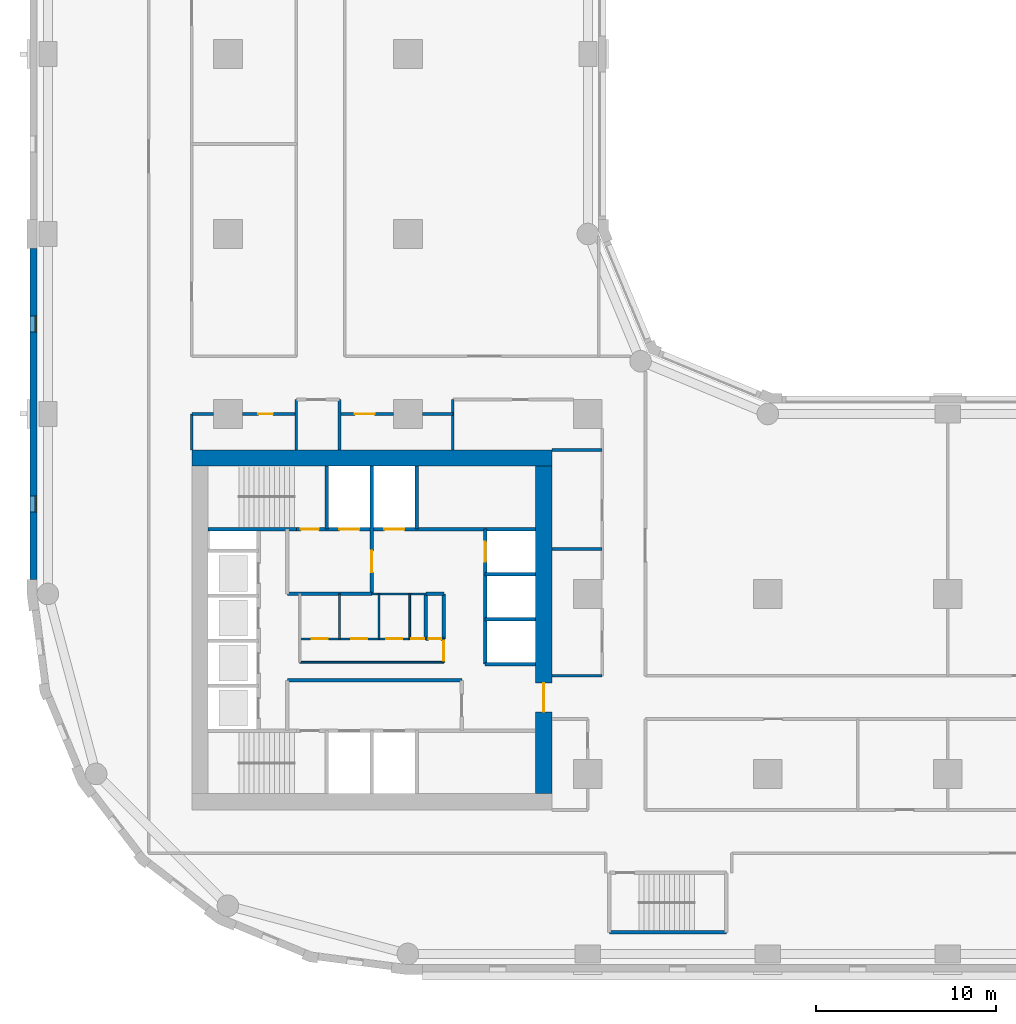
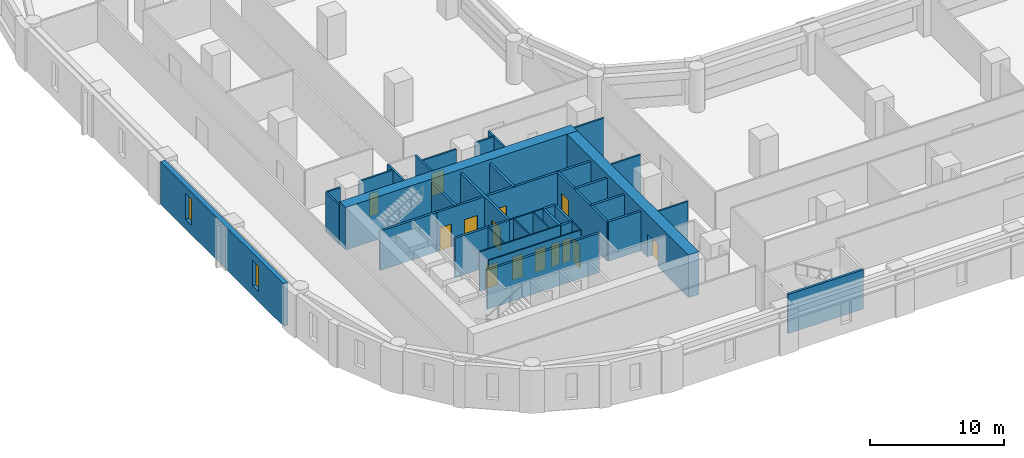
# One storey, part 3 of 10: 37 walls, 14 doors, 2 windows, 16 openings.
"""IFC4 building model written with IfcOpenShell, lengths in metres."""

from ifc_helpers import new_model, si_unit, direction, frame, frame_2d, origin, place, context, subcontext, project, spatial, rectangle, extrude, material, layer, layer_set, type_object, element, fill, save


model = new_model("IFC4")

# Units and contexts
model_context = context("Model", 3, precision=1e-05, world=origin(), true_north=direction((0.0, 1.0)))
body_context = subcontext(model_context, "Body", "Model", "MODEL_VIEW")
ifc_project = project(units=[si_unit("LENGTHUNIT", "METRE"), si_unit("AREAUNIT", "SQUARE_METRE"), si_unit("VOLUMEUNIT", "CUBIC_METRE"), si_unit("PLANEANGLEUNIT", "RADIAN"), si_unit("MASSUNIT", "GRAM", prefix="KILO")], contexts=[model_context])

# Site, building, storey
site_placement = place(None, origin())
site = spatial("IfcSite", under=ifc_project, at=site_placement, CompositionType="ELEMENT")
building_placement = place(site_placement, origin())
building = spatial("IfcBuilding", under=site, at=building_placement, Name="Qaws Garden Tower", CompositionType="ELEMENT")
storey_placement = place(building_placement, frame((0.0, 0.0, 35.39990234375)))
storey = spatial("IfcBuildingStorey", under=building, at=storey_placement, Name="L08", CompositionType="ELEMENT", Elevation=35.39990234375)

# Wall, openings, windows
ifc_material_1 = material(Name="Clay facing brick masonry", Category="masonry")
ifc_layer_1 = layer(ifc_material_1, 0.39990234375)
ifc_layer_set_1 = layer_set([ifc_layer_1], Name="Clay facing brick masonry")
wall_type_1 = type_object("IfcWallType", Name="Brick infill wall 400", PredefinedType="SOLIDWALL", material=ifc_layer_set_1)
wall_1_placement = place(storey_placement, frame((-0.800048828125, 39.199951171875, 0.0), z_axis=(0.0, 0.0, 1.0), x_axis=(0.0, -1.0, 0.0)))
wall_1 = element("IfcWall", 1, at=wall_1_placement, inside=storey, type_object=wall_type_1, Name="E-L08-infill-25", PredefinedType="SOLIDWALL", context=body_context, shape_type="SweptSolid", body=[
    extrude(rectangle(XDim=18.39990234375, YDim=0.39990234375, at=frame_2d((9.199951171875, 0.0))), origin(), (0.0, 0.0, 1.0), 3.900146484375),
])
opening_1_placement = place(wall_1_placement, frame((3.75, 0.0, 0.89990234375)))
opening_1 = element("IfcOpeningElement", 2, at=opening_1_placement, cuts=wall_1, Name="Opening W09", PredefinedType="OPENING", context=body_context, shape_type="SweptSolid", body=[
    extrude(rectangle(XDim=0.89990234375, YDim=2.35009765625, at=frame_2d((0.449951171875, 1.175048828125))), frame((0.0, 0.2099609375, 0.0), z_axis=(0.0, -1.0, 0.0), x_axis=(1.0, 0.0, 0.0)), (0.0, 0.0, 1.0), 0.419921875),
])
opening_2_placement = place(wall_1_placement, frame((13.75, 0.0, 0.89990234375)))
opening_2 = element("IfcOpeningElement", 3, at=opening_2_placement, cuts=wall_1, Name="Opening W09", PredefinedType="OPENING", context=body_context, shape_type="SweptSolid", body=[
    extrude(rectangle(XDim=0.89990234375, YDim=2.35009765625, at=frame_2d((0.449951171875, 1.175048828125))), frame((0.0, 0.2099609375, 0.0), z_axis=(0.0, -1.0, 0.0), x_axis=(1.0, 0.0, 0.0)), (0.0, 0.0, 1.0), 0.419921875),
])
ifc_material_2 = material(Name="Aluminium framed window, clear glazing", Category="aluminium")
window_type = type_object("IfcWindowType", Name="Slit window 900 x 2350", PartitioningType="SINGLE_PANEL", PredefinedType="WINDOW", material=ifc_material_2)
window_1_placement = place(opening_1_placement, origin())
window_1 = element("IfcWindow", 4, at=window_1_placement, inside=storey, type_object=window_type, Name="E-L08-window-25-0", OverallHeight=2.35009765625, OverallWidth=0.89990234375, PartitioningType="SINGLE_PANEL", PredefinedType="WINDOW", context=body_context, shape_type="SweptSolid", body=[
    extrude(rectangle(XDim=0.89990234375, YDim=2.35009765625, at=frame_2d((0.449951171875, 1.175048828125))), frame((0.0, 0.159912109375, 0.0), z_axis=(0.0, -1.0, 0.0), x_axis=(1.0, 0.0, 0.0)), (0.0, 0.0, 1.0), 0.06005859375),
])
fill(opening_1, window_1)
window_2_placement = place(opening_2_placement, origin())
window_2 = element("IfcWindow", 5, at=window_2_placement, inside=storey, type_object=window_type, Name="E-L08-window-26-0", OverallHeight=2.35009765625, OverallWidth=0.89990234375, PartitioningType="SINGLE_PANEL", PredefinedType="WINDOW", context=body_context, shape_type="SweptSolid", body=[
    extrude(rectangle(XDim=0.89990234375, YDim=2.35009765625, at=frame_2d((0.449951171875, 1.175048828125))), frame((0.0, 0.159912109375, 0.0), z_axis=(0.0, -1.0, 0.0), x_axis=(1.0, 0.0, 0.0)), (0.0, 0.0, 1.0), 0.06005859375),
])
fill(opening_2, window_2)

# Wall
ifc_material_3 = material(Name="Plasterboard")
ifc_layer_2 = layer(ifc_material_3, 0.10009765625)
ifc_layer_set_2 = layer_set([ifc_layer_2], Name="Plasterboard")
wall_type_2 = type_object("IfcWallType", Name="Core partition 100", PredefinedType="PARTITIONING", material=ifc_layer_set_2)
wall_2_placement = place(storey_placement, frame((14.0, 16.199951171875, 0.0), z_axis=(0.0, 0.0, 1.0), x_axis=(1.0, 0.0, 0.0)))
element("IfcWall", 6, at=wall_2_placement, inside=storey, type_object=wall_type_2, Name="Core partition", PredefinedType="PARTITIONING", context=body_context, shape_type="SweptSolid", body=[
    extrude(rectangle(XDim=8.0, YDim=0.10009765625, at=frame_2d((4.0, 0.0))), origin(), (0.0, 0.0, 1.0), 3.580078125),
])

# Wall, openings, doors
wall_3_placement = place(storey_placement, frame((14.0, 17.5, 0.0), z_axis=(0.0, 0.0, 1.0), x_axis=(1.0, 0.0, 0.0)))
wall_3 = element("IfcWall", 7, at=wall_3_placement, inside=storey, type_object=wall_type_2, Name="Core partition", PredefinedType="PARTITIONING", context=body_context, shape_type="SweptSolid", body=[
    extrude(rectangle(XDim=7.0, YDim=0.10009765625, at=frame_2d((3.5, 0.0))), origin(), (0.0, 0.0, 1.0), 3.580078125),
])
opening_3_placement = place(wall_3_placement, frame((0.64990234375, 0.0, 0.0)))
opening_3 = element("IfcOpeningElement", 8, at=opening_3_placement, cuts=wall_3, Name="Opening WD18", PredefinedType="OPENING", context=body_context, shape_type="SweptSolid", body=[
    extrude(rectangle(XDim=0.89990234375, YDim=2.10009765625, at=frame_2d((0.449951171875, 1.050048828125))), frame((0.0, 0.06005859375, 0.0), z_axis=(0.0, -1.0, 0.0), x_axis=(1.0, 0.0, 0.0)), (0.0, 0.0, 1.0), 0.1201171875),
])
opening_4_placement = place(wall_3_placement, frame((2.85009765625, 0.0, 0.0)))
opening_4 = element("IfcOpeningElement", 9, at=opening_4_placement, cuts=wall_3, Name="Opening WD19", PredefinedType="OPENING", context=body_context, shape_type="SweptSolid", body=[
    extrude(rectangle(XDim=0.89990234375, YDim=2.10009765625, at=frame_2d((0.449951171875, 1.050048828125))), frame((0.0, 0.06005859375, 0.0), z_axis=(0.0, -1.0, 0.0), x_axis=(1.0, 0.0, 0.0)), (0.0, 0.0, 1.0), 0.1201171875),
])
opening_5_placement = place(wall_3_placement, frame((4.800048828125, 0.0, 0.0)))
opening_5 = element("IfcOpeningElement", 10, at=opening_5_placement, cuts=wall_3, Name="Opening WD20", PredefinedType="OPENING", context=body_context, shape_type="SweptSolid", body=[
    extrude(rectangle(XDim=0.89990234375, YDim=2.10009765625, at=frame_2d((0.449951171875, 1.050048828125))), frame((0.0, 0.06005859375, 0.0), z_axis=(0.0, -1.0, 0.0), x_axis=(1.0, 0.0, 0.0)), (0.0, 0.0, 1.0), 0.1201171875),
])
opening_6_placement = place(wall_3_placement, frame((6.199951171875, 0.0, 0.0)))
opening_6 = element("IfcOpeningElement", 11, at=opening_6_placement, cuts=wall_3, Name="Opening XD21", PredefinedType="OPENING", context=body_context, shape_type="SweptSolid", body=[
    extrude(rectangle(XDim=0.699951171875, YDim=2.10009765625, at=frame_2d((0.35009765625, 1.050048828125))), frame((0.0, 0.06005859375, 0.0), z_axis=(0.0, -1.0, 0.0), x_axis=(1.0, 0.0, 0.0)), (0.0, 0.0, 1.0), 0.1201171875),
])
ifc_material_4 = material(Name="Timber", Category="wood")
door_type_1 = type_object("IfcDoorType", Name="Store door 700x2100", OperationType="SINGLE_SWING_LEFT", PredefinedType="DOOR", material=ifc_material_4)
door_1_placement = place(opening_6_placement, origin())
door_1 = element("IfcDoor", 12, at=door_1_placement, inside=storey, type_object=door_type_1, Name="Cleaner's store door", OperationType="SINGLE_SWING_RIGHT", OverallHeight=2.10009765625, OverallWidth=0.699951171875, PredefinedType="DOOR", context=body_context, shape_type="SweptSolid", body=[
    extrude(rectangle(XDim=0.699951171875, YDim=2.10009765625, at=frame_2d((0.35009765625, 1.050048828125))), frame((0.0, 0.02490234375, 0.0), z_axis=(0.0, -1.0, 0.0), x_axis=(1.0, 0.0, 0.0)), (0.0, 0.0, 1.0), 0.050048828125),
])
fill(opening_6, door_1)
ifc_material_5 = material(Name="Timber", Category="wood")
door_type_2 = type_object("IfcDoorType", Name="WC door 900x2100", OperationType="SINGLE_SWING_LEFT", PredefinedType="DOOR", material=ifc_material_5)
door_2_placement = place(opening_3_placement, origin())
door_2 = element("IfcDoor", 13, at=door_2_placement, inside=storey, type_object=door_type_2, Name="Men's WC door", OperationType="SINGLE_SWING_RIGHT", OverallHeight=2.10009765625, OverallWidth=0.89990234375, PredefinedType="DOOR", context=body_context, shape_type="SweptSolid", body=[
    extrude(rectangle(XDim=0.89990234375, YDim=2.10009765625, at=frame_2d((0.449951171875, 1.050048828125))), frame((0.0, 0.02490234375, 0.0), z_axis=(0.0, -1.0, 0.0), x_axis=(1.0, 0.0, 0.0)), (0.0, 0.0, 1.0), 0.050048828125),
])
fill(opening_3, door_2)
door_3_placement = place(opening_4_placement, origin())
door_3 = element("IfcDoor", 14, at=door_3_placement, inside=storey, type_object=door_type_2, Name="Women's WC door", OperationType="SINGLE_SWING_RIGHT", OverallHeight=2.10009765625, OverallWidth=0.89990234375, PredefinedType="DOOR", context=body_context, shape_type="SweptSolid", body=[
    extrude(rectangle(XDim=0.89990234375, YDim=2.10009765625, at=frame_2d((0.449951171875, 1.050048828125))), frame((0.0, 0.02490234375, 0.0), z_axis=(0.0, -1.0, 0.0), x_axis=(1.0, 0.0, 0.0)), (0.0, 0.0, 1.0), 0.050048828125),
])
fill(opening_4, door_3)
door_4_placement = place(opening_5_placement, origin())
door_4 = element("IfcDoor", 15, at=door_4_placement, inside=storey, type_object=door_type_2, Name="Accessible WC door", OperationType="SINGLE_SWING_RIGHT", OverallHeight=2.10009765625, OverallWidth=0.89990234375, PredefinedType="DOOR", context=body_context, shape_type="SweptSolid", body=[
    extrude(rectangle(XDim=0.89990234375, YDim=2.10009765625, at=frame_2d((0.449951171875, 1.050048828125))), frame((0.0, 0.02490234375, 0.0), z_axis=(0.0, -1.0, 0.0), x_axis=(1.0, 0.0, 0.0)), (0.0, 0.0, 1.0), 0.050048828125),
])
fill(opening_5, door_4)

# Walls
wall_4_placement = place(storey_placement, frame((18.0, 20.0, 0.0), z_axis=(0.0, 0.0, 1.0), x_axis=(1.0, 0.0, 0.0)))
element("IfcWall", 16, at=wall_4_placement, inside=storey, type_object=wall_type_2, Name="Core partition", PredefinedType="PARTITIONING", context=body_context, shape_type="SweptSolid", body=[
    extrude(rectangle(XDim=3.0, YDim=0.10009765625, at=frame_2d((1.5, 0.0))), origin(), (0.0, 0.0, 1.0), 3.580078125),
])
for number, where, z_axis, x_axis, name in (
    (17, (16.199951171875, 17.5, 0.0), (0.0, 0.0, 1.0), (0.0, 1.0, 0.0), "Core partition"),
    (18, (18.39990234375, 17.5, 0.0), (0.0, 0.0, 1.0), (0.0, 1.0, 0.0), "Core partition"),
    (19, (20.10009765625, 17.5, 0.0), (0.0, 0.0, 1.0), (0.0, 1.0, 0.0), "Core partition"),
):
    element("IfcWall", number, at=place(storey_placement, frame(where, z_axis=z_axis, x_axis=x_axis)), inside=storey, type_object=wall_type_2, Name=name, PredefinedType="PARTITIONING", context=body_context, shape_type="SweptSolid", body=[
        extrude(rectangle(XDim=2.5, YDim=0.10009765625, at=frame_2d((1.25, 0.0))), origin(), (0.0, 0.0, 1.0), 3.580078125),
    ])

# Wall, opening, door
wall_5_placement = place(storey_placement, frame((22.0, 16.199951171875, 0.0), z_axis=(0.0, 0.0, 1.0), x_axis=(0.0, 1.0, 0.0)))
wall_5 = element("IfcWall", 20, at=wall_5_placement, inside=storey, type_object=wall_type_2, Name="Core partition", PredefinedType="PARTITIONING", context=body_context, shape_type="SweptSolid", body=[
    extrude(rectangle(XDim=1.300048828125, YDim=0.10009765625, at=frame_2d((0.64990234375, 0.0))), origin(), (0.0, 0.0, 1.0), 3.580078125),
])
opening_7_placement = place(wall_5_placement, frame((0.10009765625, 0.0, 0.0)))
opening_7 = element("IfcOpeningElement", 21, at=opening_7_placement, cuts=wall_5, Name="Opening WL17", PredefinedType="OPENING", context=body_context, shape_type="SweptSolid", body=[
    extrude(rectangle(XDim=1.10009765625, YDim=2.10009765625, at=frame_2d((0.550048828125, 1.050048828125))), frame((0.0, 0.06005859375, 0.0), z_axis=(0.0, -1.0, 0.0), x_axis=(1.0, 0.0, 0.0)), (0.0, 0.0, 1.0), 0.1201171875),
])
ifc_material_6 = material(Name="Timber", Category="wood")
door_type_3 = type_object("IfcDoorType", Name="WC lobby door 1100x2100", OperationType="SINGLE_SWING_LEFT", PredefinedType="DOOR", material=ifc_material_6)
door_5_placement = place(opening_7_placement, origin())
door_5 = element("IfcDoor", 22, at=door_5_placement, inside=storey, type_object=door_type_3, Name="WC lobby door", OperationType="SINGLE_SWING_RIGHT", OverallHeight=2.10009765625, OverallWidth=1.10009765625, PredefinedType="DOOR", context=body_context, shape_type="SweptSolid", body=[
    extrude(rectangle(XDim=1.10009765625, YDim=2.10009765625, at=frame_2d((0.550048828125, 1.050048828125))), frame((0.0, 0.02490234375, 0.0), z_axis=(0.0, -1.0, 0.0), x_axis=(1.0, 0.0, 0.0)), (0.0, 0.0, 1.0), 0.050048828125),
])
fill(opening_7, door_5)

# Walls
ifc_material_7 = material(Name="Concrete C80", Category="concrete")
ifc_layer_3 = layer(ifc_material_7, 0.199951171875)
ifc_layer_set_3 = layer_set([ifc_layer_3], Name="Concrete C80")
wall_type_3 = type_object("IfcWallType", Name="Core shaft wall 200 C80", PredefinedType="SHEAR", material=ifc_layer_set_3)
wall_6_placement = place(storey_placement, frame((31.199951171875, 1.199951171875, 0.0), z_axis=(0.0, 0.0, 1.0), x_axis=(1.0, 0.0, 0.0)))
element("IfcWall", 23, at=wall_6_placement, inside=storey, type_object=wall_type_3, Name="Shaft wall", PredefinedType="SHEAR", context=body_context, shape_type="SweptSolid", body=[
    extrude(rectangle(XDim=6.5, YDim=0.199951171875, at=frame_2d((3.25, 0.0))), origin(), (0.0, 0.0, 1.0), 3.580078125),
])
wall_7_placement = place(storey_placement, frame((13.300048828125, 15.199951171875, 0.0), z_axis=(0.0, 0.0, 1.0), x_axis=(1.0, 0.0, 0.0)))
element("IfcWall", 24, at=wall_7_placement, inside=storey, type_object=wall_type_3, Name="Shaft wall", PredefinedType="SHEAR", context=body_context, shape_type="SweptSolid", body=[
    extrude(rectangle(XDim=9.699951171875, YDim=0.199951171875, at=frame_2d((4.85009765625, 0.0))), origin(), (0.0, 0.0, 1.0), 3.580078125),
])
wall_8_placement = place(storey_placement, frame((24.300048828125, 16.10009765625, 0.0), z_axis=(0.0, 0.0, 1.0), x_axis=(1.0, 0.0, 0.0)))
element("IfcWall", 25, at=wall_8_placement, inside=storey, type_object=wall_type_3, Name="Shaft wall", PredefinedType="SHEAR", context=body_context, shape_type="SweptSolid", body=[
    extrude(rectangle(XDim=2.800048828125, YDim=0.199951171875, at=frame_2d((1.39990234375, 0.0))), origin(), (0.0, 0.0, 1.0), 3.580078125),
])

# Wall, opening, door
wall_9_placement = place(storey_placement, frame((21.0, 17.5, 0.0), z_axis=(0.0, 0.0, 1.0), x_axis=(1.0, 0.0, 0.0)))
wall_9 = element("IfcWall", 26, at=wall_9_placement, inside=storey, type_object=wall_type_3, Name="Shaft wall", PredefinedType="SHEAR", context=body_context, shape_type="SweptSolid", body=[
    extrude(rectangle(XDim=1.0, YDim=0.199951171875, at=frame_2d((0.5, 0.0))), origin(), (0.0, 0.0, 1.0), 3.580078125),
])
opening_8_placement = place(wall_9_placement, frame((0.14990234375, 0.0, 0.0)))
opening_8 = element("IfcOpeningElement", 27, at=opening_8_placement, cuts=wall_9, Name="Opening XD22", PredefinedType="OPENING", context=body_context, shape_type="SweptSolid", body=[
    extrude(rectangle(XDim=0.699951171875, YDim=2.10009765625, at=frame_2d((0.35009765625, 1.050048828125))), frame((0.0, 0.10986328125, 0.0), z_axis=(0.0, -1.0, 0.0), x_axis=(1.0, 0.0, 0.0)), (0.0, 0.0, 1.0), 0.219970703125),
])
door_6_placement = place(opening_8_placement, origin())
door_6 = element("IfcDoor", 28, at=door_6_placement, inside=storey, type_object=door_type_1, Name="Telecom riser door", OperationType="SINGLE_SWING_RIGHT", OverallHeight=2.10009765625, OverallWidth=0.699951171875, PredefinedType="DOOR", context=body_context, shape_type="SweptSolid", body=[
    extrude(rectangle(XDim=0.699951171875, YDim=2.10009765625, at=frame_2d((0.35009765625, 1.050048828125))), frame((0.0, 0.02490234375, 0.0), z_axis=(0.0, -1.0, 0.0), x_axis=(1.0, 0.0, 0.0)), (0.0, 0.0, 1.0), 0.050048828125),
])
fill(opening_8, door_6)

# Walls
wall_10_placement = place(storey_placement, frame((24.300048828125, 18.60009765625, 0.0), z_axis=(0.0, 0.0, 1.0), x_axis=(1.0, 0.0, 0.0)))
element("IfcWall", 29, at=wall_10_placement, inside=storey, type_object=wall_type_3, Name="Shaft wall", PredefinedType="SHEAR", context=body_context, shape_type="SweptSolid", body=[
    extrude(rectangle(XDim=2.800048828125, YDim=0.199951171875, at=frame_2d((1.39990234375, 0.0))), origin(), (0.0, 0.0, 1.0), 3.580078125),
])
wall_11_placement = place(storey_placement, frame((13.300048828125, 20.0, 0.0), z_axis=(0.0, 0.0, 1.0), x_axis=(1.0, 0.0, 0.0)))
element("IfcWall", 30, at=wall_11_placement, inside=storey, type_object=wall_type_3, Name="Shaft wall", PredefinedType="SHEAR", context=body_context, shape_type="SweptSolid", body=[
    extrude(rectangle(XDim=4.699951171875, YDim=0.199951171875, at=frame_2d((2.35009765625, 0.0))), origin(), (0.0, 0.0, 1.0), 3.580078125),
])
wall_12_placement = place(storey_placement, frame((21.0, 20.0, 0.0), z_axis=(0.0, 0.0, 1.0), x_axis=(1.0, 0.0, 0.0)))
element("IfcWall", 31, at=wall_12_placement, inside=storey, type_object=wall_type_3, Name="Shaft wall", PredefinedType="SHEAR", context=body_context, shape_type="SweptSolid", body=[
    extrude(rectangle(XDim=1.0, YDim=0.199951171875, at=frame_2d((0.5, 0.0))), origin(), (0.0, 0.0, 1.0), 3.580078125),
])
wall_13_placement = place(storey_placement, frame((24.300048828125, 21.10009765625, 0.0), z_axis=(0.0, 0.0, 1.0), x_axis=(1.0, 0.0, 0.0)))
element("IfcWall", 32, at=wall_13_placement, inside=storey, type_object=wall_type_3, Name="Shaft wall", PredefinedType="SHEAR", context=body_context, shape_type="SweptSolid", body=[
    extrude(rectangle(XDim=2.800048828125, YDim=0.199951171875, at=frame_2d((1.39990234375, 0.0))), origin(), (0.0, 0.0, 1.0), 3.580078125),
])
wall_14_placement = place(storey_placement, frame((8.89990234375, 23.60009765625, 0.0), z_axis=(0.0, 0.0, 1.0), x_axis=(1.0, 0.0, 0.0)))
element("IfcWall", 33, at=wall_14_placement, inside=storey, type_object=wall_type_3, Name="Shaft wall", PredefinedType="SHEAR", context=body_context, shape_type="SweptSolid", body=[
    extrude(rectangle(XDim=4.900146484375, YDim=0.199951171875, at=frame_2d((2.4501953125, 0.0))), origin(), (0.0, 0.0, 1.0), 3.580078125),
])

# Wall, openings, doors
wall_15_placement = place(storey_placement, frame((13.800048828125, 23.60009765625, 0.0), z_axis=(0.0, 0.0, 1.0), x_axis=(1.0, 0.0, 0.0)))
wall_15 = element("IfcWall", 34, at=wall_15_placement, inside=storey, type_object=wall_type_3, Name="Shaft wall", PredefinedType="SHEAR", context=body_context, shape_type="SweptSolid", body=[
    extrude(rectangle(XDim=13.300048828125, YDim=0.199951171875, at=frame_2d((6.64990234375, 0.0))), origin(), (0.0, 0.0, 1.0), 3.580078125),
])
opening_9_placement = place(wall_15_placement, frame((2.39990234375, 0.0, 0.0)))
opening_9 = element("IfcOpeningElement", 35, at=opening_9_placement, cuts=wall_15, Name="Opening LD08", PredefinedType="OPENING", context=body_context, shape_type="SweptSolid", body=[
    extrude(rectangle(XDim=1.10009765625, YDim=2.10009765625, at=frame_2d((0.550048828125, 1.050048828125))), frame((0.0, 0.10986328125, 0.0), z_axis=(0.0, -1.0, 0.0), x_axis=(1.0, 0.0, 0.0)), (0.0, 0.0, 1.0), 0.219970703125),
])
opening_10_placement = place(wall_15_placement, frame((4.89990234375, 0.0, 0.0)))
opening_10 = element("IfcOpeningElement", 36, at=opening_10_placement, cuts=wall_15, Name="Opening LD09", PredefinedType="OPENING", context=body_context, shape_type="SweptSolid", body=[
    extrude(rectangle(XDim=1.10009765625, YDim=2.10009765625, at=frame_2d((0.550048828125, 1.050048828125))), frame((0.0, 0.10986328125, 0.0), z_axis=(0.0, -1.0, 0.0), x_axis=(1.0, 0.0, 0.0)), (0.0, 0.0, 1.0), 0.219970703125),
])
opening_11_placement = place(wall_15_placement, frame((0.25, 0.0, 0.0)))
opening_11 = element("IfcOpeningElement", 37, at=opening_11_placement, cuts=wall_15, Name="Opening SD11", PredefinedType="OPENING", context=body_context, shape_type="SweptSolid", body=[
    extrude(rectangle(XDim=1.0, YDim=2.10009765625, at=frame_2d((0.5, 1.050048828125))), frame((0.0, 0.10986328125, 0.0), z_axis=(0.0, -1.0, 0.0), x_axis=(1.0, 0.0, 0.0)), (0.0, 0.0, 1.0), 0.219970703125),
])
ifc_material_8 = material(Name="Steel S235", Category="steel")
door_type_4 = type_object("IfcDoorType", Name="Landing door 1100x2100", OperationType="DOUBLE_DOOR_SLIDING", PredefinedType="DOOR", material=ifc_material_8)
door_7_placement = place(opening_9_placement, origin())
door_7 = element("IfcDoor", 38, at=door_7_placement, inside=storey, type_object=door_type_4, Name="Lift FF3 landing door", OperationType="DOUBLE_DOOR_SLIDING", OverallHeight=2.10009765625, OverallWidth=1.10009765625, PredefinedType="DOOR", context=body_context, shape_type="SweptSolid", body=[
    extrude(rectangle(XDim=1.10009765625, YDim=2.10009765625, at=frame_2d((0.550048828125, 1.050048828125))), frame((0.0, 0.02490234375, 0.0), z_axis=(0.0, -1.0, 0.0), x_axis=(1.0, 0.0, 0.0)), (0.0, 0.0, 1.0), 0.050048828125),
])
fill(opening_9, door_7)
door_8_placement = place(opening_10_placement, origin())
door_8 = element("IfcDoor", 39, at=door_8_placement, inside=storey, type_object=door_type_4, Name="Lift SV2 landing door", OperationType="DOUBLE_DOOR_SLIDING", OverallHeight=2.10009765625, OverallWidth=1.10009765625, PredefinedType="DOOR", context=body_context, shape_type="SweptSolid", body=[
    extrude(rectangle(XDim=1.10009765625, YDim=2.10009765625, at=frame_2d((0.550048828125, 1.050048828125))), frame((0.0, 0.02490234375, 0.0), z_axis=(0.0, -1.0, 0.0), x_axis=(1.0, 0.0, 0.0)), (0.0, 0.0, 1.0), 0.050048828125),
])
fill(opening_10, door_8)
ifc_material_9 = material(Name="Steel S235", Category="steel")
door_type_5 = type_object("IfcDoorType", Name="Stair door 1000x2100", OperationType="SINGLE_SWING_RIGHT", PredefinedType="DOOR", material=ifc_material_9)
door_9_placement = place(opening_11_placement, origin())
door_9 = element("IfcDoor", 40, at=door_9_placement, inside=storey, type_object=door_type_5, Name="Stair 4 door", OperationType="SINGLE_SWING_RIGHT", OverallHeight=2.10009765625, OverallWidth=1.0, PredefinedType="DOOR", context=body_context, shape_type="SweptSolid", body=[
    extrude(rectangle(XDim=1.0, YDim=2.10009765625, at=frame_2d((0.5, 1.050048828125))), frame((0.0, 0.02490234375, 0.0), z_axis=(0.0, -1.0, 0.0), x_axis=(1.0, 0.0, 0.0)), (0.0, 0.0, 1.0), 0.050048828125),
])
fill(opening_11, door_9)

# Wall
wall_16_placement = place(storey_placement, frame((15.5, 23.60009765625, 0.0), z_axis=(0.0, 0.0, 1.0), x_axis=(0.0, 1.0, 0.0)))
element("IfcWall", 41, at=wall_16_placement, inside=storey, type_object=wall_type_3, Name="Shaft wall", PredefinedType="SHEAR", context=body_context, shape_type="SweptSolid", body=[
    extrude(rectangle(XDim=3.5, YDim=0.199951171875, at=frame_2d((1.75, 0.0))), origin(), (0.0, 0.0, 1.0), 3.580078125),
])

# Wall, opening, door
wall_17_placement = place(storey_placement, frame((18.0, 20.0, 0.0), z_axis=(0.0, 0.0, 1.0), x_axis=(0.0, 1.0, 0.0)))
wall_17 = element("IfcWall", 42, at=wall_17_placement, inside=storey, type_object=wall_type_3, Name="Shaft wall", PredefinedType="SHEAR", context=body_context, shape_type="SweptSolid", body=[
    extrude(rectangle(XDim=7.10009765625, YDim=0.199951171875, at=frame_2d((3.550048828125, 0.0))), origin(), (0.0, 0.0, 1.0), 3.580078125),
])
opening_12_placement = place(wall_17_placement, frame((1.199951171875, 0.0, 0.0)))
opening_12 = element("IfcOpeningElement", 43, at=opening_12_placement, cuts=wall_17, Name="Opening FD16", PredefinedType="OPENING", context=body_context, shape_type="SweptSolid", body=[
    extrude(rectangle(XDim=1.199951171875, YDim=2.10009765625, at=frame_2d((0.60009765625, 1.050048828125))), frame((0.0, 0.10986328125, 0.0), z_axis=(0.0, -1.0, 0.0), x_axis=(1.0, 0.0, 0.0)), (0.0, 0.0, 1.0), 0.219970703125),
])
ifc_material_10 = material(Name="Steel S235", Category="steel")
door_type_6 = type_object("IfcDoorType", Name="Lobby door 1200x2100", OperationType="DOUBLE_DOOR_SINGLE_SWING", PredefinedType="DOOR", material=ifc_material_10)
door_10_placement = place(opening_12_placement, origin())
door_10 = element("IfcDoor", 44, at=door_10_placement, inside=storey, type_object=door_type_6, Name="Fire-fighting lobby door", OperationType="DOUBLE_DOOR_SINGLE_SWING", OverallHeight=2.10009765625, OverallWidth=1.199951171875, PredefinedType="DOOR", context=body_context, shape_type="SweptSolid", body=[
    extrude(rectangle(XDim=1.199951171875, YDim=2.10009765625, at=frame_2d((0.60009765625, 1.050048828125))), frame((0.0, 0.02490234375, 0.0), z_axis=(0.0, -1.0, 0.0), x_axis=(1.0, 0.0, 0.0)), (0.0, 0.0, 1.0), 0.050048828125),
])
fill(opening_12, door_10)

# Walls
wall_18_placement = place(storey_placement, frame((20.5, 23.60009765625, 0.0), z_axis=(0.0, 0.0, 1.0), x_axis=(0.0, 1.0, 0.0)))
element("IfcWall", 45, at=wall_18_placement, inside=storey, type_object=wall_type_3, Name="Shaft wall", PredefinedType="SHEAR", context=body_context, shape_type="SweptSolid", body=[
    extrude(rectangle(XDim=3.5, YDim=0.199951171875, at=frame_2d((1.75, 0.0))), origin(), (0.0, 0.0, 1.0), 3.580078125),
])
for number, where, z_axis, x_axis, name in (
    (46, (21.0, 17.5, 0.0), (0.0, 0.0, 1.0), (0.0, 1.0, 0.0), "Shaft wall"),
    (47, (22.0, 17.5, 0.0), (0.0, 0.0, 1.0), (0.0, 1.0, 0.0), "Shaft wall"),
):
    element("IfcWall", number, at=place(storey_placement, frame(where, z_axis=z_axis, x_axis=x_axis)), inside=storey, type_object=wall_type_3, Name=name, PredefinedType="SHEAR", context=body_context, shape_type="SweptSolid", body=[
        extrude(rectangle(XDim=2.5, YDim=0.199951171875, at=frame_2d((1.25, 0.0))), origin(), (0.0, 0.0, 1.0), 3.580078125),
    ])

# Wall, opening, door
wall_19_placement = place(storey_placement, frame((24.300048828125, 16.10009765625, 0.0), z_axis=(0.0, 0.0, 1.0), x_axis=(0.0, 1.0, 0.0)))
wall_19 = element("IfcWall", 48, at=wall_19_placement, inside=storey, type_object=wall_type_3, Name="Shaft wall", PredefinedType="SHEAR", context=body_context, shape_type="SweptSolid", body=[
    extrude(rectangle(XDim=7.5, YDim=0.199951171875, at=frame_2d((3.75, 0.0))), origin(), (0.0, 0.0, 1.0), 3.580078125),
])
opening_13_placement = place(wall_19_placement, frame((5.699951171875, 0.0, 0.0)))
opening_13 = element("IfcOpeningElement", 49, at=opening_13_placement, cuts=wall_19, Name="Opening LD05", PredefinedType="OPENING", context=body_context, shape_type="SweptSolid", body=[
    extrude(rectangle(XDim=1.10009765625, YDim=2.10009765625, at=frame_2d((0.550048828125, 1.050048828125))), frame((0.0, 0.10986328125, 0.0), z_axis=(0.0, -1.0, 0.0), x_axis=(1.0, 0.0, 0.0)), (0.0, 0.0, 1.0), 0.219970703125),
])
door_11_placement = place(opening_13_placement, origin())
door_11 = element("IfcDoor", 50, at=door_11_placement, inside=storey, type_object=door_type_4, Name="Lift E3 landing door", OperationType="DOUBLE_DOOR_SLIDING", OverallHeight=2.10009765625, OverallWidth=1.10009765625, PredefinedType="DOOR", context=body_context, shape_type="SweptSolid", body=[
    extrude(rectangle(XDim=1.10009765625, YDim=2.10009765625, at=frame_2d((0.550048828125, 1.050048828125))), frame((0.0, 0.02490234375, 0.0), z_axis=(0.0, -1.0, 0.0), x_axis=(1.0, 0.0, 0.0)), (0.0, 0.0, 1.0), 0.050048828125),
])
fill(opening_13, door_11)

ifc_material_11 = material(Name="Concrete C80", Category="concrete")
ifc_layer_4 = layer(ifc_material_11, 0.89990234375)
ifc_layer_set_4 = layer_set([ifc_layer_4], Name="Concrete C80")
wall_type_4 = type_object("IfcWallType", Name="Core wall 900 C80", PredefinedType="SHEAR", material=ifc_layer_set_4)
wall_20_placement = place(storey_placement, frame((27.550048828125, 8.89990234375, 0.0), z_axis=(0.0, 0.0, 1.0), x_axis=(0.0, 1.0, 0.0)))
wall_20 = element("IfcWall", 51, at=wall_20_placement, inside=storey, type_object=wall_type_4, Name="Core wall L08 east", PredefinedType="SHEAR", context=body_context, shape_type="SweptSolid", body=[
    extrude(rectangle(XDim=18.2001953125, YDim=0.89990234375, at=frame_2d((9.10009765625, 0.0))), origin(), (0.0, 0.0, 1.0), 3.900146484375),
])
opening_14_placement = place(wall_20_placement, frame((4.550048828125, 0.0, 0.0)))
opening_14 = element("IfcOpeningElement", 52, at=opening_14_placement, cuts=wall_20, Name="Opening ED23", PredefinedType="OPENING", context=body_context, shape_type="SweptSolid", body=[
    extrude(rectangle(XDim=1.60009765625, YDim=2.10009765625, at=frame_2d((0.800048828125, 1.050048828125))), frame((0.0, 0.4599609375, 0.0), z_axis=(0.0, -1.0, 0.0), x_axis=(1.0, 0.0, 0.0)), (0.0, 0.0, 1.0), 0.919921875),
])
ifc_material_12 = material(Name="Steel S235", Category="steel")
door_type_7 = type_object("IfcDoorType", Name="Core entrance door 1600x2100", OperationType="DOUBLE_DOOR_SINGLE_SWING", PredefinedType="DOOR", material=ifc_material_12)
door_12_placement = place(opening_14_placement, origin())
door_12 = element("IfcDoor", 53, at=door_12_placement, inside=storey, type_object=door_type_7, Name="Core entrance door", OperationType="DOUBLE_DOOR_SINGLE_SWING", OverallHeight=2.10009765625, OverallWidth=1.60009765625, PredefinedType="DOOR", context=body_context, shape_type="SweptSolid", body=[
    extrude(rectangle(XDim=1.60009765625, YDim=2.10009765625, at=frame_2d((0.800048828125, 1.050048828125))), frame((0.0, 0.02490234375, 0.0), z_axis=(0.0, -1.0, 0.0), x_axis=(1.0, 0.0, 0.0)), (0.0, 0.0, 1.0), 0.050048828125),
])
fill(opening_14, door_12)

# Walls
wall_21_placement = place(storey_placement, frame((28.0, 27.550048828125, 0.0), z_axis=(0.0, 0.0, 1.0), x_axis=(-1.0, 0.0, 0.0)))
element("IfcWall", 54, at=wall_21_placement, inside=storey, type_object=wall_type_4, Name="Core wall L08 north", PredefinedType="SHEAR", context=body_context, shape_type="SweptSolid", body=[
    extrude(rectangle(XDim=20.0, YDim=0.89990234375, at=frame_2d((10.0, 0.0))), origin(), (0.0, 0.0, 1.0), 3.900146484375),
])
ifc_material_13 = material(Name="Gypsum board partition")
ifc_layer_5 = layer(ifc_material_13, 0.14990234375)
ifc_layer_set_5 = layer_set([ifc_layer_5], Name="Gypsum board partition")
wall_type_5 = type_object("IfcWallType", Name="PARTITION 150 EI 60", PredefinedType="PARTITIONING", material=ifc_layer_set_5)
wall_22_placement = place(storey_placement, frame((8.0, 28.0, 0.0), z_axis=(0.0, 0.0, 1.0), x_axis=(0.0, 1.0, 0.0)))
element("IfcWall", 55, at=wall_22_placement, inside=storey, type_object=wall_type_5, Name="O-L08-wall-003", PredefinedType="PARTITIONING", context=body_context, shape_type="SweptSolid", body=[
    extrude(rectangle(XDim=2.0, YDim=0.14990234375, at=frame_2d((1.0, 0.0))), origin(), (0.0, 0.0, 1.0), 3.580078125),
])
for number, where, z_axis, x_axis, name in (
    (56, (13.800048828125, 28.0, 0.0), (0.0, 0.0, 1.0), (0.0, 1.0, 0.0), "O-L08-wall-006"),
    (57, (16.199951171875, 28.0, 0.0), (0.0, 0.0, 1.0), (0.0, 1.0, 0.0), "O-L08-wall-008"),
    (58, (22.5, 28.0, 0.0), (0.0, 0.0, 1.0), (0.0, 1.0, 0.0), "O-L08-wall-011"),
    (59, (28.0, 15.449951171875, 0.0), (0.0, 0.0, 1.0), (1.0, 0.0, 0.0), "O-L08-wall-037"),
    (60, (28.0, 22.5, 0.0), (0.0, 0.0, 1.0), (1.0, 0.0, 0.0), "O-L08-wall-039"),
    (61, (28.0, 28.0, 0.0), (0.0, 0.0, 1.0), (1.0, 0.0, 0.0), "O-L08-wall-040"),
):
    element("IfcWall", number, at=place(storey_placement, frame(where, z_axis=z_axis, x_axis=x_axis)), inside=storey, type_object=wall_type_5, Name=name, PredefinedType="PARTITIONING", context=body_context, shape_type="SweptSolid", body=[
        extrude(rectangle(XDim=2.800048828125, YDim=0.14990234375, at=frame_2d((1.39990234375, 0.0))), origin(), (0.0, 0.0, 1.0), 3.580078125),
    ])
wall_23_placement = place(storey_placement, frame((8.0, 30.0, 0.0), z_axis=(0.0, 0.0, 1.0), x_axis=(1.0, 0.0, 0.0)))
element("IfcWall", 62, at=wall_23_placement, inside=storey, type_object=wall_type_5, Name="O-L08-wall-041", PredefinedType="PARTITIONING", context=body_context, shape_type="SweptSolid", body=[
    extrude(rectangle(XDim=1.199951171875, YDim=0.14990234375, at=frame_2d((0.60009765625, 0.0))), origin(), (0.0, 0.0, 1.0), 3.580078125),
])

# Wall, opening, door
wall_24_placement = place(storey_placement, frame((10.800048828125, 30.0, 0.0), z_axis=(0.0, 0.0, 1.0), x_axis=(1.0, 0.0, 0.0)))
wall_24 = element("IfcWall", 63, at=wall_24_placement, inside=storey, type_object=wall_type_5, Name="O-L08-wall-042", PredefinedType="PARTITIONING", context=body_context, shape_type="SweptSolid", body=[
    extrude(rectangle(XDim=3.0, YDim=0.14990234375, at=frame_2d((1.5, 0.0))), origin(), (0.0, 0.0, 1.0), 3.580078125),
])
opening_15_placement = place(wall_24_placement, frame((0.89990234375, 0.0, 0.0)))
opening_15 = element("IfcOpeningElement", 64, at=opening_15_placement, cuts=wall_24, Name="Opening A303", PredefinedType="OPENING", context=body_context, shape_type="SweptSolid", body=[
    extrude(rectangle(XDim=0.800048828125, YDim=2.10009765625, at=frame_2d((0.39990234375, 1.050048828125))), frame((0.0, 0.0849609375, 0.0), z_axis=(0.0, -1.0, 0.0), x_axis=(1.0, 0.0, 0.0)), (0.0, 0.0, 1.0), 0.169921875),
])
ifc_material_14 = material(Name="Timber door leaf", Category="wood")
door_type_8 = type_object("IfcDoorType", Name="STORE DOOR 800 X 2100", OperationType="SINGLE_SWING_LEFT", PredefinedType="DOOR", material=ifc_material_14)
door_13_placement = place(opening_15_placement, frame((0.800048828125, 0.0, 0.0), z_axis=(0.0, 0.0, 1.0), x_axis=(-1.0, 0.0, 0.0)))
door_13 = element("IfcDoor", 65, at=door_13_placement, inside=storey, type_object=door_type_8, Name="O-L08-door-003", OperationType="SINGLE_SWING_RIGHT", OverallHeight=2.10009765625, OverallWidth=0.800048828125, PredefinedType="DOOR", context=body_context, shape_type="SweptSolid", body=[
    extrude(rectangle(XDim=0.800048828125, YDim=2.10009765625, at=frame_2d((0.39990234375, 1.050048828125))), frame((0.0, 0.02490234375, 0.0), z_axis=(0.0, -1.0, 0.0), x_axis=(1.0, 0.0, 0.0)), (0.0, 0.0, 1.0), 0.050048828125),
])
fill(opening_15, door_13)

wall_25_placement = place(storey_placement, frame((16.199951171875, 30.0, 0.0), z_axis=(0.0, 0.0, 1.0), x_axis=(1.0, 0.0, 0.0)))
wall_25 = element("IfcWall", 66, at=wall_25_placement, inside=storey, type_object=wall_type_5, Name="O-L08-wall-043", PredefinedType="PARTITIONING", context=body_context, shape_type="SweptSolid", body=[
    extrude(rectangle(XDim=3.0, YDim=0.14990234375, at=frame_2d((1.5, 0.0))), origin(), (0.0, 0.0, 1.0), 3.580078125),
])
opening_16_placement = place(wall_25_placement, frame((0.85009765625, 0.0, 0.0)))
opening_16 = element("IfcOpeningElement", 67, at=opening_16_placement, cuts=wall_25, Name="Opening A304", PredefinedType="OPENING", context=body_context, shape_type="SweptSolid", body=[
    extrude(rectangle(XDim=1.10009765625, YDim=2.10009765625, at=frame_2d((0.550048828125, 1.050048828125))), frame((0.0, 0.0849609375, 0.0), z_axis=(0.0, -1.0, 0.0), x_axis=(1.0, 0.0, 0.0)), (0.0, 0.0, 1.0), 0.169921875),
])
ifc_material_15 = material(Name="Timber door leaf", Category="wood")
door_type_9 = type_object("IfcDoorType", Name="SERVICE ROOM DOOR 1100 X 2100", OperationType="SINGLE_SWING_LEFT", PredefinedType="DOOR", material=ifc_material_15)
door_14_placement = place(opening_16_placement, frame((1.10009765625, 0.0, 0.0), z_axis=(0.0, 0.0, 1.0), x_axis=(-1.0, 0.0, 0.0)))
door_14 = element("IfcDoor", 68, at=door_14_placement, inside=storey, type_object=door_type_9, Name="O-L08-door-004", OperationType="SINGLE_SWING_RIGHT", OverallHeight=2.10009765625, OverallWidth=1.10009765625, PredefinedType="DOOR", context=body_context, shape_type="SweptSolid", body=[
    extrude(rectangle(XDim=1.10009765625, YDim=2.10009765625, at=frame_2d((0.550048828125, 1.050048828125))), frame((0.0, 0.02490234375, 0.0), z_axis=(0.0, -1.0, 0.0), x_axis=(1.0, 0.0, 0.0)), (0.0, 0.0, 1.0), 0.050048828125),
])
fill(opening_16, door_14)

# Wall
wall_26_placement = place(storey_placement, frame((20.800048828125, 30.0, 0.0), z_axis=(0.0, 0.0, 1.0), x_axis=(1.0, 0.0, 0.0)))
element("IfcWall", 69, at=wall_26_placement, inside=storey, type_object=wall_type_5, Name="O-L08-wall-044", PredefinedType="PARTITIONING", context=body_context, shape_type="SweptSolid", body=[
    extrude(rectangle(XDim=1.699951171875, YDim=0.14990234375, at=frame_2d((0.85009765625, 0.0))), origin(), (0.0, 0.0, 1.0), 3.580078125),
])

save(model, "model.ifc")
